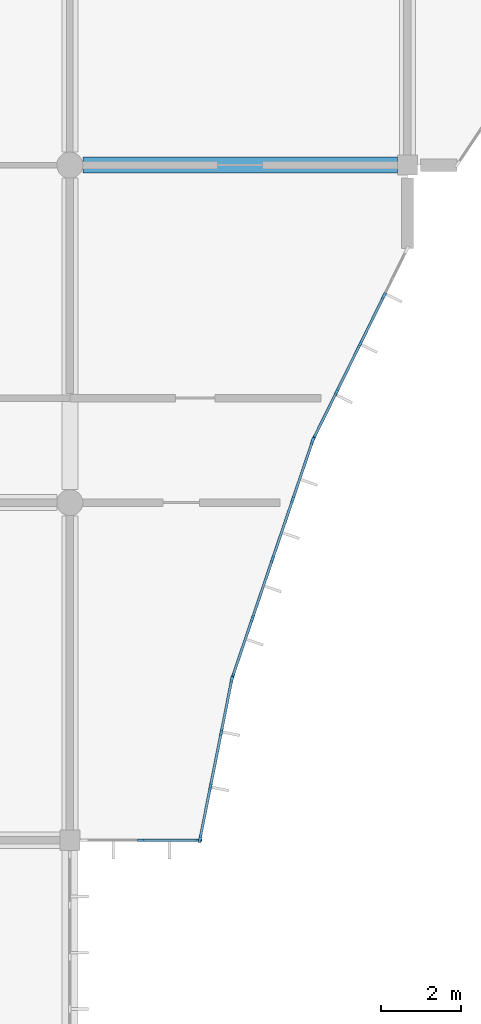
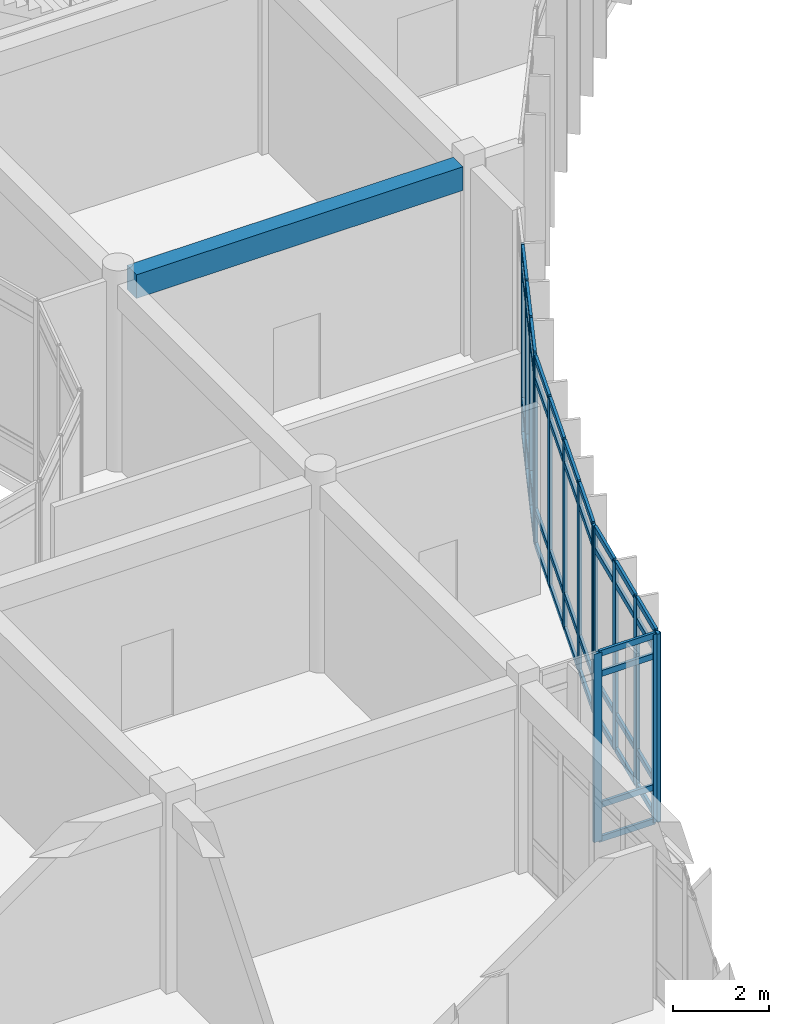
# One storey, part 59 of 134: 59 members, 1 beam, 4 elements without a shape of their own.
"""IFC4 building model written with IfcOpenShell, lengths in metres."""

from ifc_helpers import new_model, si_unit, direction, frame, origin, origin_2d, place, context, subcontext, project, spatial, rectangle, extrude, material, layer, layer_set, material_profile, profile_set, type_object, element, aggregate, save


model = new_model("IFC4")

# Units and contexts
model_context = context("Model", 3, precision=1e-05, world=origin(), true_north=direction((0.0, 1.0)))
body_context = subcontext(model_context, "Body", "Model", "MODEL_VIEW")
ifc_project = project(units=[si_unit("LENGTHUNIT", "METRE"), si_unit("AREAUNIT", "SQUARE_METRE"), si_unit("VOLUMEUNIT", "CUBIC_METRE"), si_unit("PLANEANGLEUNIT", "RADIAN"), si_unit("MASSUNIT", "GRAM", prefix="KILO")], contexts=[model_context])

# Site, building, storey
site_placement = place(None, origin())
site = spatial("IfcSite", under=ifc_project, at=site_placement, CompositionType="ELEMENT")
building_placement = place(site_placement, origin())
building = spatial("IfcBuilding", under=site, at=building_placement, Name="Bramfleet General Hospital", CompositionType="ELEMENT")
storey_placement = place(building_placement, frame((0.0, 0.0, 9.300048828125)))
storey = spatial("IfcBuildingStorey", under=building, at=storey_placement, Name="L02", CompositionType="ELEMENT", Elevation=9.300048828125)

# Beam
ifc_material_1 = material(Name="Concrete C35/45", Category="concrete")
ifc_material_profile_1 = material_profile(ifc_material_1, rectangle(XDim=0.39990234375, YDim=0.60009765625, at=origin_2d()), Name="RC BM 600x400")
ifc_profile_set_1 = profile_set([ifc_material_profile_1], Name="Concrete C35/45")
beam_type = type_object("IfcBeamType", Name="BM-RC600", PredefinedType="BEAM", material=ifc_profile_set_1)
beam_placement = place(storey_placement, frame((126.324951171875, 67.199951171875, 4.47998046875), z_axis=(1.0, 0.0, 0.0), x_axis=(0.0, 1.0, 0.0)))
element("IfcBeam", 1, at=beam_placement, inside=storey, type_object=beam_type, Name="L02 Grid Beam X 15-08", PredefinedType="BEAM", context=body_context, shape_type="SweptSolid", body=[
    extrude(rectangle(XDim=0.39990234375, YDim=0.60009765625, at=origin_2d()), origin(), (0.0, 0.0, 1.0), 7.824951171875),
])

# Curtain wall, members
ifc_material_2 = material(Name="Anodised aluminium and low-E triple glazing", Category="aluminium")
ifc_layer_1 = layer(ifc_material_2, 0.179931640625, Name="CWT-CW-02")
ifc_layer_set_1 = layer_set([ifc_layer_1], Name="Anodised aluminium and low-E triple glazing")
curtain_wall_type_1 = type_object("IfcCurtainWallType", Name="CWT-CW-02", PredefinedType="USERDEFINED", material=ifc_layer_set_1)
curtain_wall_1_placement = place(storey_placement, origin())
curtain_wall_1 = element("IfcCurtainWall", 2, at=curtain_wall_1_placement, inside=storey, type_object=curtain_wall_type_1, Name="L02 Curtain Wall 110", ObjectType="Unitised curtain wall", PredefinedType="USERDEFINED")
ifc_material_3 = material(Name="Structural timber GL28h", Category="wood")
ifc_material_profile_2 = material_profile(ifc_material_3, rectangle(XDim=0.070068359375, YDim=0.18994140625, at=origin_2d()), Name="LARCH 190x70")
ifc_profile_set_2 = profile_set([ifc_material_profile_2], Name="Structural timber GL28h")
member_type_1 = type_object("IfcMemberType", Name="CWM-LARCH450", PredefinedType="MULLION", material=ifc_profile_set_2)
member_1_placement = place(storey_placement, frame((133.8134765625, 63.936767578125, 0.0), z_axis=(0.0, 0.0, 1.0), x_axis=(0.896864723513, -0.442304948782, 0.0)))
member_1 = element("IfcMember", 3, at=member_1_placement, type_object=member_type_1, Name="CW-02 mullion 2", PredefinedType="MULLION", context=body_context, shape_type="SweptSolid", body=[
    extrude(rectangle(XDim=0.070068359375, YDim=0.18994140625, at=origin_2d()), origin(), (0.0, 0.0, 1.0), 4.77001953125),
])
member_2_placement = place(storey_placement, frame((133.22705078125, 62.74755859375, 0.0), z_axis=(0.0, 0.0, 1.0), x_axis=(0.896864723513, -0.442304948782, 0.0)))
member_2 = element("IfcMember", 4, at=member_2_placement, type_object=member_type_1, Name="CW-02 mullion 3", PredefinedType="MULLION", context=body_context, shape_type="SweptSolid", body=[
    extrude(rectangle(XDim=0.070068359375, YDim=0.18994140625, at=origin_2d()), origin(), (0.0, 0.0, 1.0), 4.77001953125),
])
member_3_placement = place(storey_placement, frame((132.640380859375, 61.558349609375, 0.0), z_axis=(0.0, 0.0, 1.0), x_axis=(0.896864723513, -0.442304948782, 0.0)))
member_3 = element("IfcMember", 5, at=member_3_placement, type_object=member_type_1, Name="CW-02 mullion 4", PredefinedType="MULLION", context=body_context, shape_type="SweptSolid", body=[
    extrude(rectangle(XDim=0.070068359375, YDim=0.18994140625, at=origin_2d()), origin(), (0.0, 0.0, 1.0), 4.77001953125),
])
member_4_placement = place(storey_placement, frame((132.069580078125, 60.400390625, 0.0), z_axis=(0.0, 0.0, 1.0), x_axis=(0.896864723513, -0.442304948782, 0.0)))
member_4 = element("IfcMember", 6, at=member_4_placement, type_object=member_type_1, Name="CW-02 mullion 5", PredefinedType="MULLION", context=body_context, shape_type="SweptSolid", body=[
    extrude(rectangle(XDim=0.070068359375, YDim=0.18994140625, at=origin_2d()), origin(), (0.0, 0.0, 1.0), 4.77001953125),
])

ifc_layer_2 = layer(ifc_material_2, 0.179931640625, Name="CWT-CW-03")
ifc_layer_set_2 = layer_set([ifc_layer_2], Name="Anodised aluminium and low-E triple glazing")
curtain_wall_type_2 = type_object("IfcCurtainWallType", Name="CWT-CW-03", PredefinedType="USERDEFINED", material=ifc_layer_set_2)
curtain_wall_2_placement = place(storey_placement, origin())
curtain_wall_2 = element("IfcCurtainWall", 7, at=curtain_wall_2_placement, inside=storey, type_object=curtain_wall_type_2, Name="L02 Curtain Wall 111", ObjectType="Unitised curtain wall", PredefinedType="USERDEFINED")
member_5_placement = place(storey_placement, frame((132.042724609375, 60.3359375, 0.0), z_axis=(0.0, 0.0, 1.0), x_axis=(0.946949276617, -0.321383054181, 0.0)))
member_5 = element("IfcMember", 8, at=member_5_placement, type_object=member_type_1, Name="CW-03 mullion 1", PredefinedType="MULLION", context=body_context, shape_type="SweptSolid", body=[
    extrude(rectangle(XDim=0.070068359375, YDim=0.18994140625, at=origin_2d()), origin(), (0.0, 0.0, 1.0), 4.77001953125),
])
member_6_placement = place(storey_placement, frame((131.549560546875, 58.882568359375, 0.0), z_axis=(0.0, 0.0, 1.0), x_axis=(0.946949276617, -0.321383054181, 0.0)))
member_6 = element("IfcMember", 9, at=member_6_placement, type_object=member_type_1, Name="CW-03 mullion 2", PredefinedType="MULLION", context=body_context, shape_type="SweptSolid", body=[
    extrude(rectangle(XDim=0.070068359375, YDim=0.18994140625, at=origin_2d()), origin(), (0.0, 0.0, 1.0), 4.77001953125),
])
member_7_placement = place(storey_placement, frame((131.044921875, 57.39599609375, 0.0), z_axis=(0.0, 0.0, 1.0), x_axis=(0.946949276617, -0.321383054181, 0.0)))
member_7 = element("IfcMember", 10, at=member_7_placement, type_object=member_type_1, Name="CW-03 mullion 3", PredefinedType="MULLION", context=body_context, shape_type="SweptSolid", body=[
    extrude(rectangle(XDim=0.070068359375, YDim=0.18994140625, at=origin_2d()), origin(), (0.0, 0.0, 1.0), 4.77001953125),
])
member_8_placement = place(storey_placement, frame((130.54052734375, 55.909423828125, 0.0), z_axis=(0.0, 0.0, 1.0), x_axis=(0.946949276617, -0.321383054181, 0.0)))
member_8 = element("IfcMember", 11, at=member_8_placement, type_object=member_type_1, Name="CW-03 mullion 4", PredefinedType="MULLION", context=body_context, shape_type="SweptSolid", body=[
    extrude(rectangle(XDim=0.070068359375, YDim=0.18994140625, at=origin_2d()), origin(), (0.0, 0.0, 1.0), 4.77001953125),
])
member_9_placement = place(storey_placement, frame((130.04736328125, 54.4560546875, 0.0), z_axis=(0.0, 0.0, 1.0), x_axis=(0.946949276617, -0.321383054181, 0.0)))
member_9 = element("IfcMember", 12, at=member_9_placement, type_object=member_type_1, Name="CW-03 mullion 5", PredefinedType="MULLION", context=body_context, shape_type="SweptSolid", body=[
    extrude(rectangle(XDim=0.070068359375, YDim=0.18994140625, at=origin_2d()), origin(), (0.0, 0.0, 1.0), 4.77001953125),
])

ifc_layer_3 = layer(ifc_material_2, 0.179931640625, Name="CWT-CW-04")
ifc_layer_set_3 = layer_set([ifc_layer_3], Name="Anodised aluminium and low-E triple glazing")
curtain_wall_type_3 = type_object("IfcCurtainWallType", Name="CWT-CW-04", PredefinedType="USERDEFINED", material=ifc_layer_set_3)
curtain_wall_3_placement = place(storey_placement, origin())
curtain_wall_3 = element("IfcCurtainWall", 13, at=curtain_wall_3_placement, inside=storey, type_object=curtain_wall_type_3, Name="L02 Curtain Wall 112", ObjectType="Unitised curtain wall", PredefinedType="USERDEFINED")
member_10_placement = place(storey_placement, frame((130.029052734375, 54.388671875, 0.0), z_axis=(0.0, 0.0, 1.0), x_axis=(0.980749087161, -0.195272189606, 0.0)))
member_10 = element("IfcMember", 14, at=member_10_placement, type_object=member_type_1, Name="CW-04 mullion 1", PredefinedType="MULLION", context=body_context, shape_type="SweptSolid", body=[
    extrude(rectangle(XDim=0.070068359375, YDim=0.18994140625, at=origin_2d()), origin(), (0.0, 0.0, 1.0), 4.77001953125),
])
member_11_placement = place(storey_placement, frame((129.76904296875, 53.08203125, 0.0), z_axis=(0.0, 0.0, 1.0), x_axis=(0.980749087161, -0.195272189606, 0.0)))
member_11 = element("IfcMember", 15, at=member_11_placement, type_object=member_type_1, Name="CW-04 mullion 2", PredefinedType="MULLION", context=body_context, shape_type="SweptSolid", body=[
    extrude(rectangle(XDim=0.070068359375, YDim=0.18994140625, at=origin_2d()), origin(), (0.0, 0.0, 1.0), 4.77001953125),
])
member_12_placement = place(storey_placement, frame((129.501953125, 51.740966796875, 0.0), z_axis=(0.0, 0.0, 1.0), x_axis=(0.980749087161, -0.195272189606, 0.0)))
member_12 = element("IfcMember", 16, at=member_12_placement, type_object=member_type_1, Name="CW-04 mullion 3", PredefinedType="MULLION", context=body_context, shape_type="SweptSolid", body=[
    extrude(rectangle(XDim=0.070068359375, YDim=0.18994140625, at=origin_2d()), origin(), (0.0, 0.0, 1.0), 4.77001953125),
])
member_13_placement = place(storey_placement, frame((129.241943359375, 50.434326171875, 0.0), z_axis=(0.0, 0.0, 1.0), x_axis=(0.980749087161, -0.195272189606, 0.0)))
member_13 = element("IfcMember", 17, at=member_13_placement, type_object=member_type_1, Name="CW-04 mullion 4", PredefinedType="MULLION", context=body_context, shape_type="SweptSolid", body=[
    extrude(rectangle(XDim=0.070068359375, YDim=0.18994140625, at=origin_2d()), origin(), (0.0, 0.0, 1.0), 4.77001953125),
])

ifc_layer_4 = layer(ifc_material_2, 0.179931640625, Name="CWT-CW-05")
ifc_layer_set_4 = layer_set([ifc_layer_4], Name="Anodised aluminium and low-E triple glazing")
curtain_wall_type_4 = type_object("IfcCurtainWallType", Name="CWT-CW-05", PredefinedType="USERDEFINED", material=ifc_layer_set_4)
curtain_wall_4_placement = place(storey_placement, origin())
curtain_wall_4 = element("IfcCurtainWall", 18, at=curtain_wall_4_placement, inside=storey, type_object=curtain_wall_type_4, Name="L02 Curtain Wall 113", ObjectType="Unitised curtain wall", PredefinedType="USERDEFINED")
member_14_placement = place(storey_placement, frame((129.199951171875, 50.39990234375, 0.0), z_axis=(0.0, 0.0, 1.0), x_axis=(0.0, -1.0, 0.0)))
member_14 = element("IfcMember", 19, at=member_14_placement, type_object=member_type_1, Name="CW-05 mullion 1", PredefinedType="MULLION", context=body_context, shape_type="SweptSolid", body=[
    extrude(rectangle(XDim=0.070068359375, YDim=0.18994140625, at=origin_2d()), origin(), (0.0, 0.0, 1.0), 4.77001953125),
])
member_15_placement = place(storey_placement, frame((127.780029296875, 50.39990234375, 0.0), z_axis=(0.0, 0.0, 1.0), x_axis=(0.0, -1.0, 0.0)))
member_15 = element("IfcMember", 20, at=member_15_placement, type_object=member_type_1, Name="CW-05 mullion 2", PredefinedType="MULLION", context=body_context, shape_type="SweptSolid", body=[
    extrude(rectangle(XDim=0.070068359375, YDim=0.18994140625, at=origin_2d()), origin(), (0.0, 0.0, 1.0), 4.77001953125),
])

# Member
ifc_material_profile_3 = material_profile(ifc_material_3, rectangle(XDim=0.06494140625, YDim=0.14990234375, at=origin_2d()), Name="LARCH 150x65")
ifc_profile_set_3 = profile_set([ifc_material_profile_3], Name="Structural timber GL28h")
member_type_2 = type_object("IfcMemberType", Name="CWT-LARCH220", PredefinedType="USERDEFINED", material=ifc_profile_set_3)
member_16_placement = place(storey_placement, frame((133.798095703125, 63.9052734375, 0.032470703125), z_axis=(-0.44238671825, -0.896824392797, 0.0), x_axis=(0.896824392797, -0.44238671825, 0.0)))
member_16 = element("IfcMember", 21, at=member_16_placement, type_object=member_type_2, Name="CW-02 transom 2.1", ObjectType="TRANSOM", PredefinedType="USERDEFINED", context=body_context, shape_type="SweptSolid", body=[
    extrude(rectangle(XDim=0.06494140625, YDim=0.14990234375, at=origin_2d()), origin(), (0.0, 0.0, 1.0), 1.256103515625),
])

member_17_placement = place(storey_placement, frame((133.798095703125, 63.9052734375, 0.89990234375), z_axis=(-0.44238671825, -0.896824392797, 0.0), x_axis=(0.896824392797, -0.44238671825, 0.0)))
member_17 = element("IfcMember", 22, at=member_17_placement, type_object=member_type_2, Name="CW-02 transom 2.2", ObjectType="TRANSOM", PredefinedType="USERDEFINED", context=body_context, shape_type="SweptSolid", body=[
    extrude(rectangle(XDim=0.06494140625, YDim=0.14990234375, at=origin_2d()), origin(), (0.0, 0.0, 1.0), 1.256103515625),
])

member_18_placement = place(storey_placement, frame((133.798095703125, 63.9052734375, 4.219970703125), z_axis=(-0.44238671825, -0.896824392797, 0.0), x_axis=(0.896824392797, -0.44238671825, 0.0)))
member_18 = element("IfcMember", 23, at=member_18_placement, type_object=member_type_2, Name="CW-02 transom 2.3", ObjectType="TRANSOM", PredefinedType="USERDEFINED", context=body_context, shape_type="SweptSolid", body=[
    extrude(rectangle(XDim=0.06494140625, YDim=0.14990234375, at=origin_2d()), origin(), (0.0, 0.0, 1.0), 1.256103515625),
])

member_19_placement = place(storey_placement, frame((133.798095703125, 63.9052734375, 4.737548828125), z_axis=(-0.44238671825, -0.896824392797, 0.0), x_axis=(0.896824392797, -0.44238671825, 0.0)))
member_19 = element("IfcMember", 24, at=member_19_placement, type_object=member_type_2, Name="CW-02 transom 2.4", ObjectType="TRANSOM", PredefinedType="USERDEFINED", context=body_context, shape_type="SweptSolid", body=[
    extrude(rectangle(XDim=0.06494140625, YDim=0.14990234375, at=origin_2d()), origin(), (0.0, 0.0, 1.0), 1.256103515625),
])

member_20_placement = place(storey_placement, frame((133.21142578125, 62.716064453125, 0.032470703125), z_axis=(-0.442230367252, -0.89690150088, 0.0), x_axis=(0.89690150088, -0.442230367252, 0.0)))
member_20 = element("IfcMember", 25, at=member_20_placement, type_object=member_type_2, Name="CW-02 transom 3.1", ObjectType="TRANSOM", PredefinedType="USERDEFINED", context=body_context, shape_type="SweptSolid", body=[
    extrude(rectangle(XDim=0.06494140625, YDim=0.14990234375, at=origin_2d()), origin(), (0.0, 0.0, 1.0), 1.255859375),
])

member_21_placement = place(storey_placement, frame((133.21142578125, 62.716064453125, 0.89990234375), z_axis=(-0.442230367252, -0.89690150088, 0.0), x_axis=(0.89690150088, -0.442230367252, 0.0)))
member_21 = element("IfcMember", 26, at=member_21_placement, type_object=member_type_2, Name="CW-02 transom 3.2", ObjectType="TRANSOM", PredefinedType="USERDEFINED", context=body_context, shape_type="SweptSolid", body=[
    extrude(rectangle(XDim=0.06494140625, YDim=0.14990234375, at=origin_2d()), origin(), (0.0, 0.0, 1.0), 1.255859375),
])

member_22_placement = place(storey_placement, frame((133.21142578125, 62.716064453125, 4.219970703125), z_axis=(-0.442230367252, -0.89690150088, 0.0), x_axis=(0.89690150088, -0.442230367252, 0.0)))
member_22 = element("IfcMember", 27, at=member_22_placement, type_object=member_type_2, Name="CW-02 transom 3.3", ObjectType="TRANSOM", PredefinedType="USERDEFINED", context=body_context, shape_type="SweptSolid", body=[
    extrude(rectangle(XDim=0.06494140625, YDim=0.14990234375, at=origin_2d()), origin(), (0.0, 0.0, 1.0), 1.255859375),
])

member_23_placement = place(storey_placement, frame((133.21142578125, 62.716064453125, 4.737548828125), z_axis=(-0.442230367252, -0.89690150088, 0.0), x_axis=(0.89690150088, -0.442230367252, 0.0)))
member_23 = element("IfcMember", 28, at=member_23_placement, type_object=member_type_2, Name="CW-02 transom 3.4", ObjectType="TRANSOM", PredefinedType="USERDEFINED", context=body_context, shape_type="SweptSolid", body=[
    extrude(rectangle(XDim=0.06494140625, YDim=0.14990234375, at=origin_2d()), origin(), (0.0, 0.0, 1.0), 1.255859375),
])

member_24_placement = place(storey_placement, frame((132.625, 61.52685546875, 0.032470703125), z_axis=(-0.442327738397, -0.896853484046, 0.0), x_axis=(0.896853484046, -0.442327738397, 0.0)))
member_24 = element("IfcMember", 29, at=member_24_placement, type_object=member_type_2, Name="CW-02 transom 4.1", ObjectType="TRANSOM", PredefinedType="USERDEFINED", context=body_context, shape_type="SweptSolid", body=[
    extrude(rectangle(XDim=0.06494140625, YDim=0.14990234375, at=origin_2d()), origin(), (0.0, 0.0, 1.0), 1.220947265625),
])

member_25_placement = place(storey_placement, frame((132.625, 61.52685546875, 0.89990234375), z_axis=(-0.442327738397, -0.896853484046, 0.0), x_axis=(0.896853484046, -0.442327738397, 0.0)))
member_25 = element("IfcMember", 30, at=member_25_placement, type_object=member_type_2, Name="CW-02 transom 4.2", ObjectType="TRANSOM", PredefinedType="USERDEFINED", context=body_context, shape_type="SweptSolid", body=[
    extrude(rectangle(XDim=0.06494140625, YDim=0.14990234375, at=origin_2d()), origin(), (0.0, 0.0, 1.0), 1.220947265625),
])

member_26_placement = place(storey_placement, frame((132.625, 61.52685546875, 4.219970703125), z_axis=(-0.442327738397, -0.896853484046, 0.0), x_axis=(0.896853484046, -0.442327738397, 0.0)))
member_26 = element("IfcMember", 31, at=member_26_placement, type_object=member_type_2, Name="CW-02 transom 4.3", ObjectType="TRANSOM", PredefinedType="USERDEFINED", context=body_context, shape_type="SweptSolid", body=[
    extrude(rectangle(XDim=0.06494140625, YDim=0.14990234375, at=origin_2d()), origin(), (0.0, 0.0, 1.0), 1.220947265625),
])

member_27_placement = place(storey_placement, frame((132.625, 61.52685546875, 4.737548828125), z_axis=(-0.442327738397, -0.896853484046, 0.0), x_axis=(0.896853484046, -0.442327738397, 0.0)))
member_27 = element("IfcMember", 32, at=member_27_placement, type_object=member_type_2, Name="CW-02 transom 4.4", ObjectType="TRANSOM", PredefinedType="USERDEFINED", context=body_context, shape_type="SweptSolid", body=[
    extrude(rectangle(XDim=0.06494140625, YDim=0.14990234375, at=origin_2d()), origin(), (0.0, 0.0, 1.0), 1.220947265625),
])

aggregate(curtain_wall_1, [member_1, member_2, member_3, member_4, member_16, member_17, member_18, member_19, member_20, member_21, member_22, member_23, member_24, member_25, member_26, member_27])

member_28_placement = place(storey_placement, frame((132.031494140625, 60.302734375, 0.032470703125), z_axis=(-0.32132303331, -0.946969644848, 0.0), x_axis=(0.946969644848, -0.32132303331, 0.0)))
member_28 = element("IfcMember", 33, at=member_28_placement, type_object=member_type_2, Name="CW-03 transom 1.1", ObjectType="TRANSOM", PredefinedType="USERDEFINED", context=body_context, shape_type="SweptSolid", body=[
    extrude(rectangle(XDim=0.06494140625, YDim=0.14990234375, at=origin_2d()), origin(), (0.0, 0.0, 1.0), 1.46484375),
])

member_29_placement = place(storey_placement, frame((132.031494140625, 60.302734375, 0.89990234375), z_axis=(-0.32132303331, -0.946969644848, 0.0), x_axis=(0.946969644848, -0.32132303331, 0.0)))
member_29 = element("IfcMember", 34, at=member_29_placement, type_object=member_type_2, Name="CW-03 transom 1.2", ObjectType="TRANSOM", PredefinedType="USERDEFINED", context=body_context, shape_type="SweptSolid", body=[
    extrude(rectangle(XDim=0.06494140625, YDim=0.14990234375, at=origin_2d()), origin(), (0.0, 0.0, 1.0), 1.46484375),
])

member_30_placement = place(storey_placement, frame((132.031494140625, 60.302734375, 4.219970703125), z_axis=(-0.32132303331, -0.946969644848, 0.0), x_axis=(0.946969644848, -0.32132303331, 0.0)))
member_30 = element("IfcMember", 35, at=member_30_placement, type_object=member_type_2, Name="CW-03 transom 1.3", ObjectType="TRANSOM", PredefinedType="USERDEFINED", context=body_context, shape_type="SweptSolid", body=[
    extrude(rectangle(XDim=0.06494140625, YDim=0.14990234375, at=origin_2d()), origin(), (0.0, 0.0, 1.0), 1.46484375),
])

member_31_placement = place(storey_placement, frame((132.031494140625, 60.302734375, 4.737548828125), z_axis=(-0.32132303331, -0.946969644848, 0.0), x_axis=(0.946969644848, -0.32132303331, 0.0)))
member_31 = element("IfcMember", 36, at=member_31_placement, type_object=member_type_2, Name="CW-03 transom 1.4", ObjectType="TRANSOM", PredefinedType="USERDEFINED", context=body_context, shape_type="SweptSolid", body=[
    extrude(rectangle(XDim=0.06494140625, YDim=0.14990234375, at=origin_2d()), origin(), (0.0, 0.0, 1.0), 1.46484375),
])

member_32_placement = place(storey_placement, frame((131.538330078125, 58.849365234375, 0.032470703125), z_axis=(-0.32149705863, -0.946910577242, 0.0), x_axis=(0.946910577242, -0.32149705863, 0.0)))
member_32 = element("IfcMember", 37, at=member_32_placement, type_object=member_type_2, Name="CW-03 transom 2.1", ObjectType="TRANSOM", PredefinedType="USERDEFINED", context=body_context, shape_type="SweptSolid", body=[
    extrude(rectangle(XDim=0.06494140625, YDim=0.14990234375, at=origin_2d()), origin(), (0.0, 0.0, 1.0), 1.499755859375),
])

member_33_placement = place(storey_placement, frame((131.538330078125, 58.849365234375, 0.89990234375), z_axis=(-0.32149705863, -0.946910577242, 0.0), x_axis=(0.946910577242, -0.32149705863, 0.0)))
member_33 = element("IfcMember", 38, at=member_33_placement, type_object=member_type_2, Name="CW-03 transom 2.2", ObjectType="TRANSOM", PredefinedType="USERDEFINED", context=body_context, shape_type="SweptSolid", body=[
    extrude(rectangle(XDim=0.06494140625, YDim=0.14990234375, at=origin_2d()), origin(), (0.0, 0.0, 1.0), 1.499755859375),
])

member_34_placement = place(storey_placement, frame((131.538330078125, 58.849365234375, 4.219970703125), z_axis=(-0.32149705863, -0.946910577242, 0.0), x_axis=(0.946910577242, -0.32149705863, 0.0)))
member_34 = element("IfcMember", 39, at=member_34_placement, type_object=member_type_2, Name="CW-03 transom 2.3", ObjectType="TRANSOM", PredefinedType="USERDEFINED", context=body_context, shape_type="SweptSolid", body=[
    extrude(rectangle(XDim=0.06494140625, YDim=0.14990234375, at=origin_2d()), origin(), (0.0, 0.0, 1.0), 1.499755859375),
])

member_35_placement = place(storey_placement, frame((131.538330078125, 58.849365234375, 4.737548828125), z_axis=(-0.32149705863, -0.946910577242, 0.0), x_axis=(0.946910577242, -0.32149705863, 0.0)))
member_35 = element("IfcMember", 40, at=member_35_placement, type_object=member_type_2, Name="CW-03 transom 2.4", ObjectType="TRANSOM", PredefinedType="USERDEFINED", context=body_context, shape_type="SweptSolid", body=[
    extrude(rectangle(XDim=0.06494140625, YDim=0.14990234375, at=origin_2d()), origin(), (0.0, 0.0, 1.0), 1.499755859375),
])

member_36_placement = place(storey_placement, frame((131.03369140625, 57.36279296875, 0.032470703125), z_axis=(-0.321351089195, -0.946960124542, 0.0), x_axis=(0.946960124542, -0.321351089195, 0.0)))
member_36 = element("IfcMember", 41, at=member_36_placement, type_object=member_type_2, Name="CW-03 transom 3.1", ObjectType="TRANSOM", PredefinedType="USERDEFINED", context=body_context, shape_type="SweptSolid", body=[
    extrude(rectangle(XDim=0.06494140625, YDim=0.14990234375, at=origin_2d()), origin(), (0.0, 0.0, 1.0), 1.499755859375),
])

member_37_placement = place(storey_placement, frame((131.03369140625, 57.36279296875, 0.89990234375), z_axis=(-0.321351089195, -0.946960124542, 0.0), x_axis=(0.946960124542, -0.321351089195, 0.0)))
member_37 = element("IfcMember", 42, at=member_37_placement, type_object=member_type_2, Name="CW-03 transom 3.2", ObjectType="TRANSOM", PredefinedType="USERDEFINED", context=body_context, shape_type="SweptSolid", body=[
    extrude(rectangle(XDim=0.06494140625, YDim=0.14990234375, at=origin_2d()), origin(), (0.0, 0.0, 1.0), 1.499755859375),
])

member_38_placement = place(storey_placement, frame((131.03369140625, 57.36279296875, 4.219970703125), z_axis=(-0.321351089195, -0.946960124542, 0.0), x_axis=(0.946960124542, -0.321351089195, 0.0)))
member_38 = element("IfcMember", 43, at=member_38_placement, type_object=member_type_2, Name="CW-03 transom 3.3", ObjectType="TRANSOM", PredefinedType="USERDEFINED", context=body_context, shape_type="SweptSolid", body=[
    extrude(rectangle(XDim=0.06494140625, YDim=0.14990234375, at=origin_2d()), origin(), (0.0, 0.0, 1.0), 1.499755859375),
])

member_39_placement = place(storey_placement, frame((131.03369140625, 57.36279296875, 4.737548828125), z_axis=(-0.321351089195, -0.946960124542, 0.0), x_axis=(0.946960124542, -0.321351089195, 0.0)))
member_39 = element("IfcMember", 44, at=member_39_placement, type_object=member_type_2, Name="CW-03 transom 3.4", ObjectType="TRANSOM", PredefinedType="USERDEFINED", context=body_context, shape_type="SweptSolid", body=[
    extrude(rectangle(XDim=0.06494140625, YDim=0.14990234375, at=origin_2d()), origin(), (0.0, 0.0, 1.0), 1.499755859375),
])

member_40_placement = place(storey_placement, frame((130.529296875, 55.87646484375, 0.032470703125), z_axis=(-0.32132303331, -0.946969644848, 0.0), x_axis=(0.946969644848, -0.32132303331, 0.0)))
member_40 = element("IfcMember", 45, at=member_40_placement, type_object=member_type_2, Name="CW-03 transom 4.1", ObjectType="TRANSOM", PredefinedType="USERDEFINED", context=body_context, shape_type="SweptSolid", body=[
    extrude(rectangle(XDim=0.06494140625, YDim=0.14990234375, at=origin_2d()), origin(), (0.0, 0.0, 1.0), 1.46484375),
])

member_41_placement = place(storey_placement, frame((130.529296875, 55.87646484375, 0.89990234375), z_axis=(-0.32132303331, -0.946969644848, 0.0), x_axis=(0.946969644848, -0.32132303331, 0.0)))
member_41 = element("IfcMember", 46, at=member_41_placement, type_object=member_type_2, Name="CW-03 transom 4.2", ObjectType="TRANSOM", PredefinedType="USERDEFINED", context=body_context, shape_type="SweptSolid", body=[
    extrude(rectangle(XDim=0.06494140625, YDim=0.14990234375, at=origin_2d()), origin(), (0.0, 0.0, 1.0), 1.46484375),
])

member_42_placement = place(storey_placement, frame((130.529296875, 55.87646484375, 4.219970703125), z_axis=(-0.32132303331, -0.946969644848, 0.0), x_axis=(0.946969644848, -0.32132303331, 0.0)))
member_42 = element("IfcMember", 47, at=member_42_placement, type_object=member_type_2, Name="CW-03 transom 4.3", ObjectType="TRANSOM", PredefinedType="USERDEFINED", context=body_context, shape_type="SweptSolid", body=[
    extrude(rectangle(XDim=0.06494140625, YDim=0.14990234375, at=origin_2d()), origin(), (0.0, 0.0, 1.0), 1.46484375),
])

member_43_placement = place(storey_placement, frame((130.529296875, 55.87646484375, 4.737548828125), z_axis=(-0.32132303331, -0.946969644848, 0.0), x_axis=(0.946969644848, -0.32132303331, 0.0)))
member_43 = element("IfcMember", 48, at=member_43_placement, type_object=member_type_2, Name="CW-03 transom 4.4", ObjectType="TRANSOM", PredefinedType="USERDEFINED", context=body_context, shape_type="SweptSolid", body=[
    extrude(rectangle(XDim=0.06494140625, YDim=0.14990234375, at=origin_2d()), origin(), (0.0, 0.0, 1.0), 1.46484375),
])

aggregate(curtain_wall_2, [member_5, member_6, member_7, member_8, member_9, member_28, member_29, member_30, member_31, member_32, member_33, member_34, member_35, member_36, member_37, member_38, member_39, member_40, member_41, member_42, member_43])

member_44_placement = place(storey_placement, frame((130.022216796875, 54.354248046875, 0.032470703125), z_axis=(-0.195148998153, -0.980773607169, 0.0), x_axis=(0.980773607169, -0.195148998153, 0.0)))
member_44 = element("IfcMember", 49, at=member_44_placement, type_object=member_type_2, Name="CW-04 transom 1.1", ObjectType="TRANSOM", PredefinedType="USERDEFINED", context=body_context, shape_type="SweptSolid", body=[
    extrude(rectangle(XDim=0.06494140625, YDim=0.14990234375, at=origin_2d()), origin(), (0.0, 0.0, 1.0), 1.26220703125),
])

member_45_placement = place(storey_placement, frame((130.022216796875, 54.354248046875, 0.89990234375), z_axis=(-0.195148998153, -0.980773607169, 0.0), x_axis=(0.980773607169, -0.195148998153, 0.0)))
member_45 = element("IfcMember", 50, at=member_45_placement, type_object=member_type_2, Name="CW-04 transom 1.2", ObjectType="TRANSOM", PredefinedType="USERDEFINED", context=body_context, shape_type="SweptSolid", body=[
    extrude(rectangle(XDim=0.06494140625, YDim=0.14990234375, at=origin_2d()), origin(), (0.0, 0.0, 1.0), 1.26220703125),
])

member_46_placement = place(storey_placement, frame((130.022216796875, 54.354248046875, 4.219970703125), z_axis=(-0.195148998153, -0.980773607169, 0.0), x_axis=(0.980773607169, -0.195148998153, 0.0)))
member_46 = element("IfcMember", 51, at=member_46_placement, type_object=member_type_2, Name="CW-04 transom 1.3", ObjectType="TRANSOM", PredefinedType="USERDEFINED", context=body_context, shape_type="SweptSolid", body=[
    extrude(rectangle(XDim=0.06494140625, YDim=0.14990234375, at=origin_2d()), origin(), (0.0, 0.0, 1.0), 1.26220703125),
])

member_47_placement = place(storey_placement, frame((130.022216796875, 54.354248046875, 4.737548828125), z_axis=(-0.195148998153, -0.980773607169, 0.0), x_axis=(0.980773607169, -0.195148998153, 0.0)))
member_47 = element("IfcMember", 52, at=member_47_placement, type_object=member_type_2, Name="CW-04 transom 1.4", ObjectType="TRANSOM", PredefinedType="USERDEFINED", context=body_context, shape_type="SweptSolid", body=[
    extrude(rectangle(XDim=0.06494140625, YDim=0.14990234375, at=origin_2d()), origin(), (0.0, 0.0, 1.0), 1.26220703125),
])

member_48_placement = place(storey_placement, frame((129.76220703125, 53.047607421875, 0.032470703125), z_axis=(-0.195356020565, -0.98073239226, 0.0), x_axis=(0.98073239226, -0.195356020565, 0.0)))
member_48 = element("IfcMember", 53, at=member_48_placement, type_object=member_type_2, Name="CW-04 transom 2.1", ObjectType="TRANSOM", PredefinedType="USERDEFINED", context=body_context, shape_type="SweptSolid", body=[
    extrude(rectangle(XDim=0.06494140625, YDim=0.14990234375, at=origin_2d()), origin(), (0.0, 0.0, 1.0), 1.297119140625),
])

member_49_placement = place(storey_placement, frame((129.76220703125, 53.047607421875, 0.89990234375), z_axis=(-0.195356020565, -0.98073239226, 0.0), x_axis=(0.98073239226, -0.195356020565, 0.0)))
member_49 = element("IfcMember", 54, at=member_49_placement, type_object=member_type_2, Name="CW-04 transom 2.2", ObjectType="TRANSOM", PredefinedType="USERDEFINED", context=body_context, shape_type="SweptSolid", body=[
    extrude(rectangle(XDim=0.06494140625, YDim=0.14990234375, at=origin_2d()), origin(), (0.0, 0.0, 1.0), 1.297119140625),
])

member_50_placement = place(storey_placement, frame((129.76220703125, 53.047607421875, 4.219970703125), z_axis=(-0.195356020565, -0.98073239226, 0.0), x_axis=(0.98073239226, -0.195356020565, 0.0)))
member_50 = element("IfcMember", 55, at=member_50_placement, type_object=member_type_2, Name="CW-04 transom 2.3", ObjectType="TRANSOM", PredefinedType="USERDEFINED", context=body_context, shape_type="SweptSolid", body=[
    extrude(rectangle(XDim=0.06494140625, YDim=0.14990234375, at=origin_2d()), origin(), (0.0, 0.0, 1.0), 1.297119140625),
])

member_51_placement = place(storey_placement, frame((129.76220703125, 53.047607421875, 4.737548828125), z_axis=(-0.195356020565, -0.98073239226, 0.0), x_axis=(0.98073239226, -0.195356020565, 0.0)))
member_51 = element("IfcMember", 56, at=member_51_placement, type_object=member_type_2, Name="CW-04 transom 2.4", ObjectType="TRANSOM", PredefinedType="USERDEFINED", context=body_context, shape_type="SweptSolid", body=[
    extrude(rectangle(XDim=0.06494140625, YDim=0.14990234375, at=origin_2d()), origin(), (0.0, 0.0, 1.0), 1.297119140625),
])

member_52_placement = place(storey_placement, frame((129.4951171875, 51.706787109375, 0.032470703125), z_axis=(-0.195148998153, -0.980773607169, 0.0), x_axis=(0.980773607169, -0.195148998153, 0.0)))
member_52 = element("IfcMember", 57, at=member_52_placement, type_object=member_type_2, Name="CW-04 transom 3.1", ObjectType="TRANSOM", PredefinedType="USERDEFINED", context=body_context, shape_type="SweptSolid", body=[
    extrude(rectangle(XDim=0.06494140625, YDim=0.14990234375, at=origin_2d()), origin(), (0.0, 0.0, 1.0), 1.26220703125),
])

member_53_placement = place(storey_placement, frame((129.4951171875, 51.706787109375, 0.89990234375), z_axis=(-0.195148998153, -0.980773607169, 0.0), x_axis=(0.980773607169, -0.195148998153, 0.0)))
member_53 = element("IfcMember", 58, at=member_53_placement, type_object=member_type_2, Name="CW-04 transom 3.2", ObjectType="TRANSOM", PredefinedType="USERDEFINED", context=body_context, shape_type="SweptSolid", body=[
    extrude(rectangle(XDim=0.06494140625, YDim=0.14990234375, at=origin_2d()), origin(), (0.0, 0.0, 1.0), 1.26220703125),
])

member_54_placement = place(storey_placement, frame((129.4951171875, 51.706787109375, 4.219970703125), z_axis=(-0.195148998153, -0.980773607169, 0.0), x_axis=(0.980773607169, -0.195148998153, 0.0)))
member_54 = element("IfcMember", 59, at=member_54_placement, type_object=member_type_2, Name="CW-04 transom 3.3", ObjectType="TRANSOM", PredefinedType="USERDEFINED", context=body_context, shape_type="SweptSolid", body=[
    extrude(rectangle(XDim=0.06494140625, YDim=0.14990234375, at=origin_2d()), origin(), (0.0, 0.0, 1.0), 1.26220703125),
])

member_55_placement = place(storey_placement, frame((129.4951171875, 51.706787109375, 4.737548828125), z_axis=(-0.195148998153, -0.980773607169, 0.0), x_axis=(0.980773607169, -0.195148998153, 0.0)))
member_55 = element("IfcMember", 60, at=member_55_placement, type_object=member_type_2, Name="CW-04 transom 3.4", ObjectType="TRANSOM", PredefinedType="USERDEFINED", context=body_context, shape_type="SweptSolid", body=[
    extrude(rectangle(XDim=0.06494140625, YDim=0.14990234375, at=origin_2d()), origin(), (0.0, 0.0, 1.0), 1.26220703125),
])

aggregate(curtain_wall_3, [member_10, member_11, member_12, member_13, member_44, member_45, member_46, member_47, member_48, member_49, member_50, member_51, member_52, member_53, member_54, member_55])

member_56_placement = place(storey_placement, frame((129.1650390625, 50.39990234375, 0.032470703125), z_axis=(-1.0, 0.0, 0.0), x_axis=(0.0, -1.0, 0.0)))
member_56 = element("IfcMember", 61, at=member_56_placement, type_object=member_type_2, Name="CW-05 transom 1.1", ObjectType="TRANSOM", PredefinedType="USERDEFINED", context=body_context, shape_type="SweptSolid", body=[
    extrude(rectangle(XDim=0.06494140625, YDim=0.14990234375, at=origin_2d()), origin(), (0.0, 0.0, 1.0), 1.35009765625),
])

member_57_placement = place(storey_placement, frame((129.1650390625, 50.39990234375, 0.89990234375), z_axis=(-1.0, 0.0, 0.0), x_axis=(0.0, -1.0, 0.0)))
member_57 = element("IfcMember", 62, at=member_57_placement, type_object=member_type_2, Name="CW-05 transom 1.2", ObjectType="TRANSOM", PredefinedType="USERDEFINED", context=body_context, shape_type="SweptSolid", body=[
    extrude(rectangle(XDim=0.06494140625, YDim=0.14990234375, at=origin_2d()), origin(), (0.0, 0.0, 1.0), 1.35009765625),
])

member_58_placement = place(storey_placement, frame((129.1650390625, 50.39990234375, 4.219970703125), z_axis=(-1.0, 0.0, 0.0), x_axis=(0.0, -1.0, 0.0)))
member_58 = element("IfcMember", 63, at=member_58_placement, type_object=member_type_2, Name="CW-05 transom 1.3", ObjectType="TRANSOM", PredefinedType="USERDEFINED", context=body_context, shape_type="SweptSolid", body=[
    extrude(rectangle(XDim=0.06494140625, YDim=0.14990234375, at=origin_2d()), origin(), (0.0, 0.0, 1.0), 1.35009765625),
])

member_59_placement = place(storey_placement, frame((129.1650390625, 50.39990234375, 4.737548828125), z_axis=(-1.0, 0.0, 0.0), x_axis=(0.0, -1.0, 0.0)))
member_59 = element("IfcMember", 64, at=member_59_placement, type_object=member_type_2, Name="CW-05 transom 1.4", ObjectType="TRANSOM", PredefinedType="USERDEFINED", context=body_context, shape_type="SweptSolid", body=[
    extrude(rectangle(XDim=0.06494140625, YDim=0.14990234375, at=origin_2d()), origin(), (0.0, 0.0, 1.0), 1.35009765625),
])

aggregate(curtain_wall_4, [member_14, member_15, member_56, member_57, member_58, member_59])

save(model, "model.ifc")
